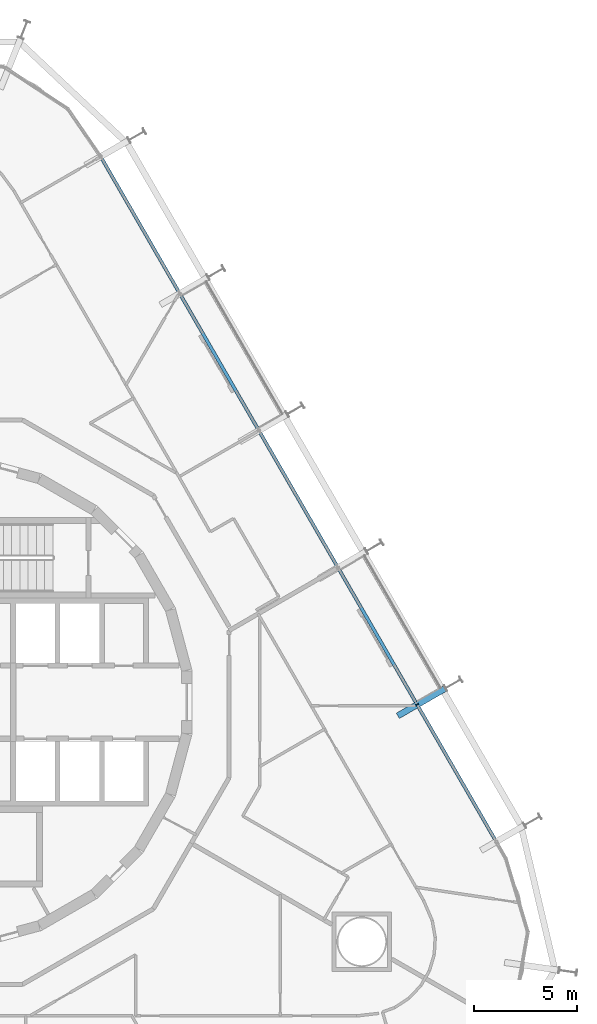
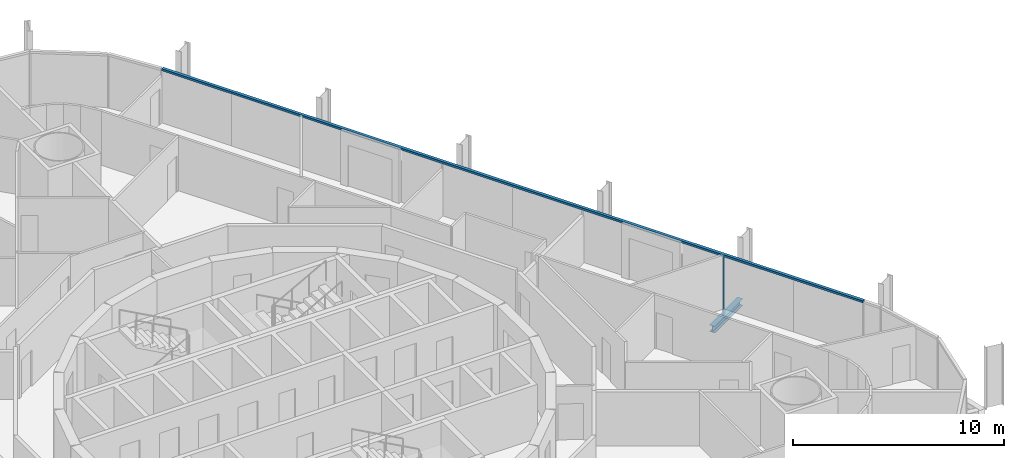
# One storey, part 7 of 19: 2 members, 1 beam, 1 element without a shape of its own.
"""IFC4 building model written with IfcOpenShell, lengths in metres."""

from ifc_helpers import new_model, si_unit, direction, frame, origin, origin_2d, place, context, subcontext, project, spatial, rectangle, i_section, extrude, material, layer, layer_set, material_profile, profile_set, type_object, element, aggregate, save


model = new_model("IFC4")

# Units and contexts
model_context = context("Model", 3, precision=1e-05, world=origin(), true_north=direction((0.0, 1.0)))
body_context = subcontext(model_context, "Body", "Model", "MODEL_VIEW")
ifc_project = project(units=[si_unit("LENGTHUNIT", "METRE"), si_unit("AREAUNIT", "SQUARE_METRE"), si_unit("VOLUMEUNIT", "CUBIC_METRE"), si_unit("PLANEANGLEUNIT", "RADIAN"), si_unit("MASSUNIT", "GRAM", prefix="KILO")], contexts=[model_context])

# Site, building, storey
site_placement = place(None, origin())
site = spatial("IfcSite", under=ifc_project, at=site_placement, CompositionType="ELEMENT")
building_placement = place(site_placement, origin())
building = spatial("IfcBuilding", under=site, at=building_placement, Name="Spindle Arch Residences", CompositionType="ELEMENT")
storey_placement = place(building_placement, frame((0.0, 0.0, 45.39990234375)))
storey = spatial("IfcBuildingStorey", under=building, at=storey_placement, Name="L09", CompositionType="ELEMENT", Elevation=45.39990234375)

# Curtain wall, members
ifc_material_1 = material(Name="Aluminium bronze unitised frame with tinted glass", Category="aluminium")
ifc_layer = layer(ifc_material_1, 0.159912109375)
ifc_layer_set = layer_set([ifc_layer], Name="CW-C typical residential unitised wall")
curtain_wall_type = type_object("IfcCurtainWallType", Name="CW-C typical residential unitised wall", PredefinedType="NOTDEFINED", material=ifc_layer_set)
curtain_wall_placement = place(storey_placement, origin())
curtain_wall = element("IfcCurtainWall", 1, at=curtain_wall_placement, inside=storey, type_object=curtain_wall_type, Name="CW-C L09 run 2", PredefinedType="NOTDEFINED")
ifc_material_2 = material(Name="Aluminium bronze anodised mullion", Category="aluminium")
ifc_material_profile_1 = material_profile(ifc_material_2, rectangle(XDim=0.159912109375, YDim=0.06005859375, at=origin_2d()), Name="MU 60x160")
ifc_profile_set_1 = profile_set([ifc_material_profile_1], Name="Aluminium bronze anodised mullion")
member_type_1 = type_object("IfcMemberType", Name="Bronze mullion 60x160", PredefinedType="MULLION", material=ifc_profile_set_1)
member_1_placement = place(storey_placement, frame((22.829345703125, -0.121826171875, -0.3798828125), z_axis=(0.0, 0.0, 1.0), x_axis=(-0.866025403784, -0.5, 0.0)))
member_1 = element("IfcMember", 2, at=member_1_placement, type_object=member_type_1, Name="CW-C mullion 06", PredefinedType="MULLION", context=body_context, shape_type="SweptSolid", body=[
    extrude(rectangle(XDim=0.159912109375, YDim=0.06005859375, at=origin_2d()), origin(), (0.0, 0.0, 1.0), 3.3798828125),
])
ifc_material_3 = material(Name="Aluminium bronze anodised transom", Category="aluminium")
ifc_material_profile_2 = material_profile(ifc_material_3, rectangle(XDim=0.159912109375, YDim=0.1201171875, at=origin_2d()), Name="TR 120x160")
ifc_profile_set_2 = profile_set([ifc_material_profile_2], Name="Aluminium bronze anodised transom")
member_type_2 = type_object("IfcMemberType", Name="Bronze transom 120x160", PredefinedType="USERDEFINED", material=ifc_profile_set_2)
member_2_placement = place(storey_placement, frame((26.654296875, -6.746826171875, 3.06005859375), z_axis=(-0.50000099666, 0.866024828362, 0.0), x_axis=(-0.866024828362, -0.50000099666, 0.0)))
member_2 = element("IfcMember", 3, at=member_2_placement, type_object=member_type_2, Name="CW-C transom 00", ObjectType="TRANSOM", PredefinedType="USERDEFINED", context=body_context, shape_type="SweptSolid", body=[
    extrude(rectangle(XDim=0.159912109375, YDim=0.1201171875, at=origin_2d()), origin(), (0.0, 0.0, 1.0), 38.34033203125),
])
aggregate(curtain_wall, [member_2, member_1])

# Beam
ifc_material_4 = material(Name="Steel S460ML, intumescent coating R 120", Category="steel")
ifc_material_profile_3 = material_profile(ifc_material_4, i_section(OverallWidth=0.300048828125, OverallDepth=0.389892578125, WebThickness=0.010986328125, FlangeThickness=0.01904296875, FilletRadius=0.027099609375, at=origin_2d()), Name="HEA 400")
ifc_profile_set_3 = profile_set([ifc_material_profile_3], Name="Steel S460ML, intumescent coating R 120")
beam_type = type_object("IfcBeamType", Name="Floor outrigger HEA 400", PredefinedType="BEAM", material=ifc_profile_set_3)
beam_placement = place(storey_placement, frame((24.18896484375, 0.6630859375, -0.574951171875), z_axis=(-0.866029095148, -0.499993606316, 0.0), x_axis=(0.499993606316, -0.866029095148, 0.0)))
element("IfcBeam", 4, at=beam_placement, inside=storey, type_object=beam_type, Name="Floor outrigger 7", PredefinedType="BEAM", context=body_context, shape_type="SweptSolid", body=[
    extrude(i_section(OverallWidth=0.300048828125, OverallDepth=0.389892578125, WebThickness=0.010986328125, FlangeThickness=0.01904296875, FilletRadius=0.027099609375, at=origin_2d()), origin(), (0.0, 0.0, 1.0), 2.64990234375),
])

save(model, "model.ifc")
